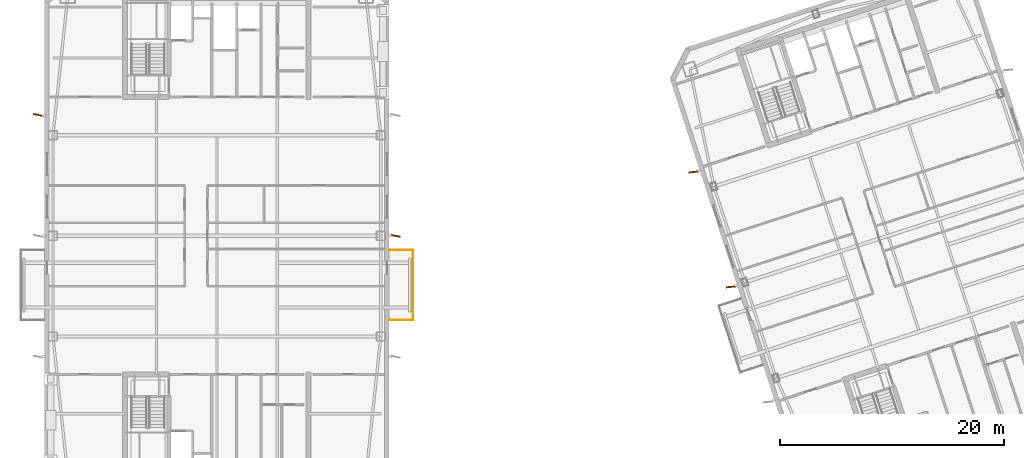
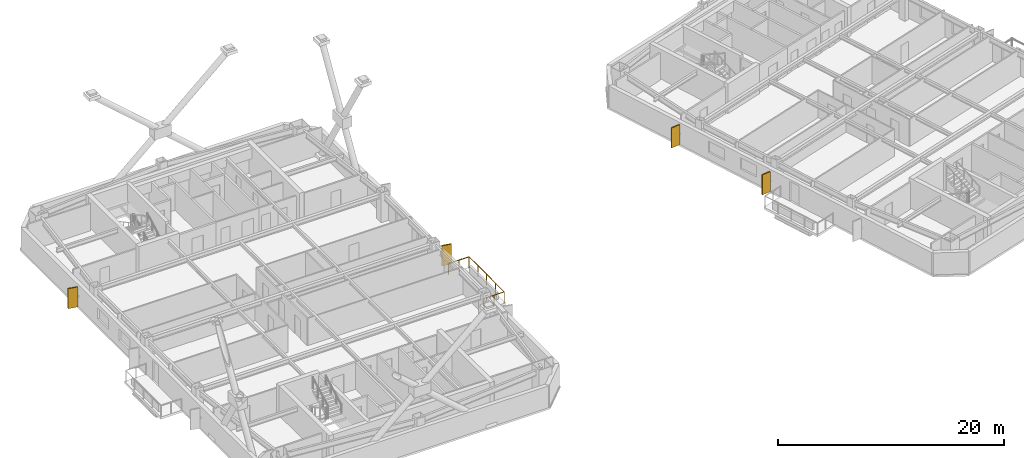
# One storey, part 15 of 18: 4 shading devices, 1 railing.
"""IFC4 building model written with IfcOpenShell, lengths in metres."""

from ifc_helpers import new_model, si_unit, direction, frame, origin, origin_2d, place, context, subcontext, project, spatial, rectangle, circle, extrude, material, layer, layer_set, type_object, element, save


model = new_model("IFC4")

# Units and contexts
model_context = context("Model", 3, precision=1e-05, world=origin(), true_north=direction((0.0, 1.0)))
body_context = subcontext(model_context, "Body", "Model", "MODEL_VIEW")
ifc_project = project(units=[si_unit("LENGTHUNIT", "METRE"), si_unit("AREAUNIT", "SQUARE_METRE"), si_unit("VOLUMEUNIT", "CUBIC_METRE"), si_unit("PLANEANGLEUNIT", "RADIAN"), si_unit("MASSUNIT", "GRAM", prefix="KILO")], contexts=[model_context])

# Site, building, storey
site_placement = place(None, origin())
site = spatial("IfcSite", under=ifc_project, at=site_placement, CompositionType="ELEMENT")
building_placement = place(site_placement, origin())
building = spatial("IfcBuilding", under=site, at=building_placement, Name="Qiaolan Cultural Towers", CompositionType="ELEMENT")
storey_placement = place(building_placement, frame((0.0, 0.0, 237.60009765625)))
storey = spatial("IfcBuildingStorey", under=building, at=storey_placement, Name="L64", CompositionType="ELEMENT", Elevation=237.60009765625)

# Railing
ifc_material_1 = material(Name="Laminated SentryGlas & Stainless Steel S31608 Balustrade", Category="steel")
railing_type = type_object("IfcRailingType", Name="GRD-TERR-1200", PredefinedType="BALUSTRADE", material=ifc_material_1)
railing_placement = place(storey_placement, frame((45.449951171875, 26.47998046875, 0.0)))
element("IfcRailing", 1, at=railing_placement, inside=storey, type_object=railing_type, Name="L64 T1 Tree Balcony Guardrail E", PredefinedType="BALUSTRADE", context=body_context, shape_type="SweptSolid", body=[
    extrude(circle(Radius=0.02392578125, at=origin_2d()), frame((0.0, 0.0, 1.17578125), z_axis=(1.0, 0.0, 0.0), x_axis=(0.0, 1.0, 0.0)), (0.0, 0.0, 1.0), 2.070068359375),
    extrude(circle(Radius=0.02392578125, at=origin_2d()), frame((2.070068359375, 0.0, 1.17578125), z_axis=(0.0, 1.0, 0.0), x_axis=(-1.0, 0.0, 0.0)), (0.0, 0.0, 1.0), 6.239990234375),
    extrude(circle(Radius=0.02392578125, at=origin_2d()), frame((2.070068359375, 6.239990234375, 1.17578125), z_axis=(-1.0, 0.0, 0.0), x_axis=(0.0, -1.0, 0.0)), (0.0, 0.0, 1.0), 2.070068359375),
    extrude(circle(Radius=0.02099609375, at=origin_2d()), origin(), (0.0, 0.0, 1.0), 1.15185546875),
    extrude(circle(Radius=0.02099609375, at=origin_2d()), frame((1.03515625, 0.0, 0.0)), (0.0, 0.0, 1.0), 1.15185546875),
    extrude(circle(Radius=0.02099609375, at=origin_2d()), frame((2.070068359375, 0.0, 0.0)), (0.0, 0.0, 1.0), 1.15185546875),
    extrude(circle(Radius=0.02099609375, at=origin_2d()), frame((2.070068359375, 1.56005859375, 0.0)), (0.0, 0.0, 1.0), 1.15185546875),
    extrude(circle(Radius=0.02099609375, at=origin_2d()), frame((2.070068359375, 3.1201171875, 0.0)), (0.0, 0.0, 1.0), 1.15185546875),
    extrude(circle(Radius=0.02099609375, at=origin_2d()), frame((2.070068359375, 4.679931640625, 0.0)), (0.0, 0.0, 1.0), 1.15185546875),
    extrude(circle(Radius=0.02099609375, at=origin_2d()), frame((2.070068359375, 6.239990234375, 0.0)), (0.0, 0.0, 1.0), 1.15185546875),
    extrude(circle(Radius=0.02099609375, at=origin_2d()), frame((1.03515625, 6.239990234375, 0.0)), (0.0, 0.0, 1.0), 1.15185546875),
    extrude(circle(Radius=0.02099609375, at=origin_2d()), frame((0.0, 6.239990234375, 0.0)), (0.0, 0.0, 1.0), 1.15185546875),
])

# Shading devices
ifc_material_2 = material(Name="Light Limestone Precast Vertical Fin", Category="masonry")
ifc_layer = layer(ifc_material_2, 0.1201171875)
ifc_layer_set = layer_set([ifc_layer], Name="Light Limestone Precast Vertical Fin")
shading_device_type = type_object("IfcShadingDeviceType", Name="SHD-FIN-WHITE", PredefinedType="USERDEFINED", material=ifc_layer_set)
for number, where, z_axis, x_axis, name in (
    (2, (14.0400390625, 44.800048828125, 0.10009765625), (0.0, 0.0, 1.0), (0.979957166978, -0.19920831029, 0.0), "L64 T1 Expressive Precast Vertical Fin W3"),
    (3, (45.9599609375, 34.0, 0.10009765625), (0.0, 0.0, 1.0), (0.979957166978, -0.19920831029, 0.0), "L64 T1 Expressive Precast Vertical Fin E2"),
    (4, (75.96240234375, 29.43896484375, 0.10009765625), (0.0, 0.0, 1.0), (0.993553402645, 0.113365056754, 0.0), "L64 T2 Expressive Precast Vertical Fin W2"),
    (5, (72.625, 39.710205078125, 0.10009765625), (0.0, 0.0, 1.0), (0.993553402645, 0.113365056754, 0.0), "L64 T2 Expressive Precast Vertical Fin W3"),
):
    element("IfcShadingDevice", number, at=place(storey_placement, frame(where, z_axis=z_axis, x_axis=x_axis)), inside=storey, type_object=shading_device_type, Name=name, ObjectType="FIN", PredefinedType="USERDEFINED", context=body_context, shape_type="SweptSolid", body=[
        extrude(rectangle(XDim=0.89990234375, YDim=0.1201171875, at=origin_2d()), origin(), (0.0, 0.0, 1.0), 2.159912109375),
    ])

save(model, "model.ifc")
